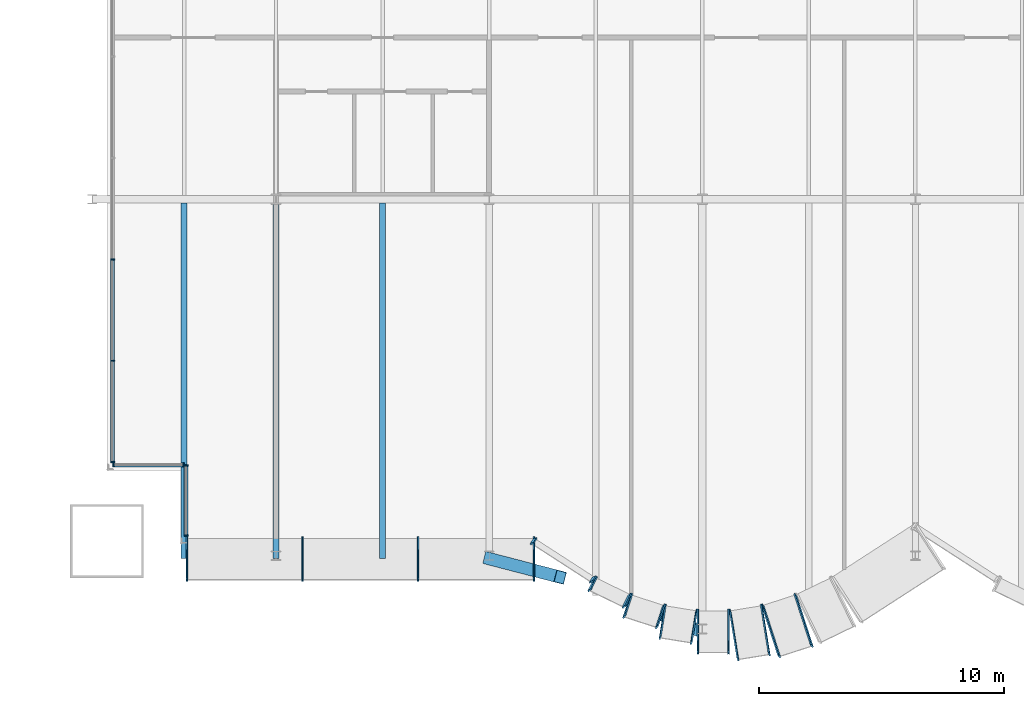
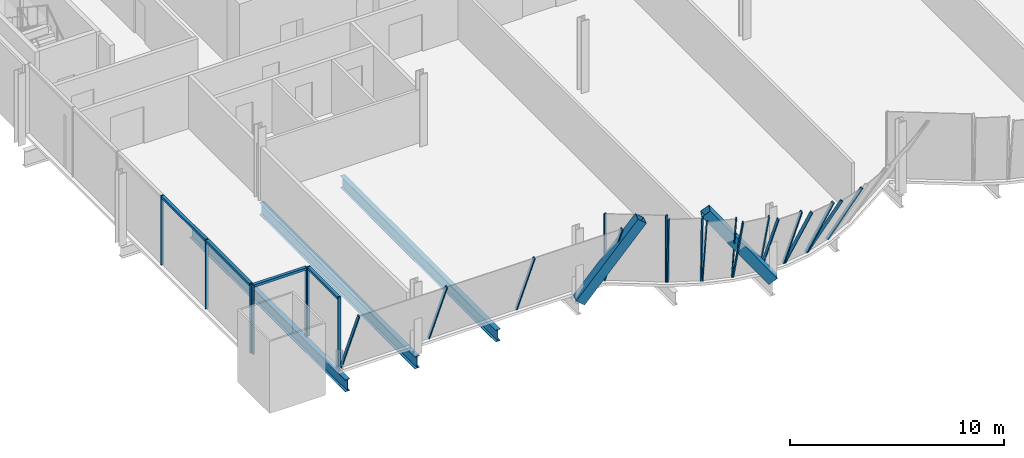
# One storey, part 4 of 22: 31 members, 3 beams, 11 elements without a shape of their own.
"""IFC4 building model written with IfcOpenShell, lengths in metres."""

from ifc_helpers import new_model, si_unit, direction, frame, origin, origin_2d, place, context, subcontext, project, spatial, rectangle, hollow_rectangle, i_section, extrude, material, material_profile, profile_set, type_object, element, aggregate, save


model = new_model("IFC4")

# Units and contexts
model_context = context("Model", 3, precision=1e-05, world=origin(), true_north=direction((0.0, 1.0)))
body_context = subcontext(model_context, "Body", "Model", "MODEL_VIEW")
ifc_project = project(units=[si_unit("LENGTHUNIT", "METRE"), si_unit("AREAUNIT", "SQUARE_METRE"), si_unit("VOLUMEUNIT", "CUBIC_METRE"), si_unit("PLANEANGLEUNIT", "RADIAN"), si_unit("MASSUNIT", "GRAM", prefix="KILO")], contexts=[model_context])

# Site, building, storey
site_placement = place(None, origin())
site = spatial("IfcSite", under=ifc_project, at=site_placement, CompositionType="ELEMENT")
building_placement = place(site_placement, origin())
building = spatial("IfcBuilding", under=site, at=building_placement, Name="Bicima Exchange Tower", CompositionType="ELEMENT")
storey_placement = place(building_placement, frame((0.0, 0.0, 89.89990234375)))
storey = spatial("IfcBuildingStorey", under=building, at=storey_placement, Name="L18", CompositionType="ELEMENT", Elevation=89.89990234375)

# Curtain wall, members
ifc_material_1 = material(Name="Anodised bronze aluminium", Category="aluminium")
curtain_wall_type_1 = type_object("IfcCurtainWallType", Name="End face glass wall", PredefinedType="NOTDEFINED", material=ifc_material_1)
curtain_wall_1_placement = place(storey_placement, origin())
curtain_wall_1 = element("IfcCurtainWall", 1, at=curtain_wall_1_placement, inside=storey, type_object=curtain_wall_type_1, Name="End face glass wall L18 run 6", PredefinedType="NOTDEFINED")
ifc_material_profile_1 = material_profile(ifc_material_1, rectangle(XDim=0.159912109375, YDim=0.06005859375, at=origin_2d()))
ifc_profile_set_1 = profile_set([ifc_material_profile_1], Name="Anodised bronze aluminium")
member_type_1 = type_object("IfcMemberType", Name="End face glass wall mullion 60 x 160", PredefinedType="MULLION", material=ifc_profile_set_1)
member_1_placement = place(storey_placement, frame((-32.77001953125, -24.451171875, 0.0), z_axis=(0.0, 0.0, 1.0), x_axis=(1.0, 0.0, 0.0)))
member_1 = element("IfcMember", 2, at=member_1_placement, type_object=member_type_1, Name="End face glass wall mullion 4", PredefinedType="MULLION", context=body_context, shape_type="SweptSolid", body=[
    extrude(rectangle(XDim=0.159912109375, YDim=0.06005859375, at=origin_2d()), origin(), (0.0, 0.0, 1.0), 3.9501953125),
])
member_2_placement = place(storey_placement, frame((-32.77001953125, -28.591552734375, 0.0), z_axis=(0.0, 0.0, 1.0), x_axis=(1.0, 0.0, 0.0)))
member_2 = element("IfcMember", 3, at=member_2_placement, type_object=member_type_1, Name="End face glass wall mullion 5", PredefinedType="MULLION", context=body_context, shape_type="SweptSolid", body=[
    extrude(rectangle(XDim=0.159912109375, YDim=0.06005859375, at=origin_2d()), origin(), (0.0, 0.0, 1.0), 3.9501953125),
])
member_3_placement = place(storey_placement, frame((-32.77001953125, -32.73193359375, 0.0), z_axis=(0.0, 0.0, 1.0), x_axis=(1.0, 0.0, 0.0)))
member_3 = element("IfcMember", 4, at=member_3_placement, type_object=member_type_1, Name="End face glass wall mullion 6", PredefinedType="MULLION", context=body_context, shape_type="SweptSolid", body=[
    extrude(rectangle(XDim=0.159912109375, YDim=0.06005859375, at=origin_2d()), origin(), (0.0, 0.0, 1.0), 3.9501953125),
])
ifc_material_profile_2 = material_profile(ifc_material_1, rectangle(XDim=0.159912109375, YDim=0.139892578125, at=origin_2d()))
ifc_profile_set_2 = profile_set([ifc_material_profile_2], Name="Anodised bronze aluminium")
member_type_2 = type_object("IfcMemberType", Name="End face glass wall transom 140 x 160", PredefinedType="USERDEFINED", material=ifc_profile_set_2)
member_4_placement = place(storey_placement, frame((-32.77001953125, -24.481201171875, 3.880126953125), z_axis=(0.0, -1.0, 0.0), x_axis=(1.0, 0.0, 0.0)))
member_4 = element("IfcMember", 5, at=member_4_placement, type_object=member_type_2, Name="End face glass wall transom 4.1", ObjectType="TRANSOM", PredefinedType="USERDEFINED", context=body_context, shape_type="SweptSolid", body=[
    extrude(rectangle(XDim=0.159912109375, YDim=0.139892578125, at=origin_2d()), origin(), (0.0, 0.0, 1.0), 4.080322265625),
])
member_5_placement = place(storey_placement, frame((-32.77001953125, -28.62158203125, 3.880126953125), z_axis=(0.0, -1.0, 0.0), x_axis=(1.0, 0.0, 0.0)))
member_5 = element("IfcMember", 6, at=member_5_placement, type_object=member_type_2, Name="End face glass wall transom 5.1", ObjectType="TRANSOM", PredefinedType="USERDEFINED", context=body_context, shape_type="SweptSolid", body=[
    extrude(rectangle(XDim=0.159912109375, YDim=0.139892578125, at=origin_2d()), origin(), (0.0, 0.0, 1.0), 4.080322265625),
])
aggregate(curtain_wall_1, [member_1, member_2, member_3, member_4, member_5])

# Beams
ifc_material_2 = material(Name="Steel ASTM A992 Gr 50", Category="steel")
ifc_material_profile_3 = material_profile(ifc_material_2, i_section(OverallWidth=0.25390625, OverallDepth=0.67822265625, WebThickness=0.01171875, FlangeThickness=0.016357421875, at=origin_2d()))
ifc_profile_set_3 = profile_set([ifc_material_profile_3], Name="Steel ASTM A992 Gr 50")
beam_type = type_object("IfcBeamType", Name="Floor beam W27x84", PredefinedType="JOIST", material=ifc_profile_set_3)
for number, where, z_axis, x_axis, name in (
    (7, (-29.85009765625, -22.16259765625, -0.489013671875), (0.0, -1.0, 0.0), (1.0, 0.0, 0.0), "Floor beam"),
    (8, (-26.10009765625, -22.16259765625, -0.489013671875), (0.0, -1.0, 0.0), (1.0, 0.0, 0.0), "Floor beam"),
    (9, (-21.75, -22.16259765625, -0.489013671875), (0.0, -1.0, 0.0), (1.0, 0.0, 0.0), "Floor beam"),
):
    element("IfcBeam", number, at=place(storey_placement, frame(where, z_axis=z_axis, x_axis=x_axis)), inside=storey, type_object=beam_type, Name=name, PredefinedType="JOIST", context=body_context, shape_type="SweptSolid", body=[
        extrude(i_section(OverallWidth=0.25390625, OverallDepth=0.67822265625, WebThickness=0.01171875, FlangeThickness=0.016357421875, at=origin_2d()), origin(), (0.0, 0.0, 1.0), 14.509521484375),
    ])

# Curtain wall, members
curtain_wall_type_2 = type_object("IfcCurtainWallType", Name="Front glass wall", PredefinedType="NOTDEFINED", material=ifc_material_1)
curtain_wall_2_placement = place(storey_placement, origin())
curtain_wall_2 = element("IfcCurtainWall", 10, at=curtain_wall_2_placement, inside=storey, type_object=curtain_wall_type_2, Name="Front glass wall L18 run 7", PredefinedType="NOTDEFINED")
member_type_3 = type_object("IfcMemberType", Name="Front glass wall mullion 60 x 160", PredefinedType="MULLION", material=ifc_profile_set_1)
member_6_placement = place(storey_placement, frame((-32.739990234375, -32.842041015625, 0.0), z_axis=(0.0, 0.0, 1.0), x_axis=(0.0, 1.0, 0.0)))
member_6 = element("IfcMember", 11, at=member_6_placement, type_object=member_type_3, Name="Front glass wall mullion 1", PredefinedType="MULLION", context=body_context, shape_type="SweptSolid", body=[
    extrude(rectangle(XDim=0.159912109375, YDim=0.06005859375, at=origin_2d()), origin(), (0.0, 0.0, 1.0), 3.9501953125),
])
member_7_placement = place(storey_placement, frame((-29.8798828125, -32.842041015625, 0.0), z_axis=(0.0, 0.0, 1.0), x_axis=(0.0, 1.0, 0.0)))
member_7 = element("IfcMember", 12, at=member_7_placement, type_object=member_type_3, Name="Front glass wall mullion 2", PredefinedType="MULLION", context=body_context, shape_type="SweptSolid", body=[
    extrude(rectangle(XDim=0.159912109375, YDim=0.06005859375, at=origin_2d()), origin(), (0.0, 0.0, 1.0), 3.9501953125),
])

curtain_wall_3_placement = place(storey_placement, origin())
curtain_wall_3 = element("IfcCurtainWall", 13, at=curtain_wall_3_placement, inside=storey, type_object=curtain_wall_type_2, Name="Front glass wall L18 run 8", PredefinedType="NOTDEFINED")
member_8_placement = place(storey_placement, frame((-29.77001953125, -32.8720703125, 0.0), z_axis=(0.0, 0.0, 1.0), x_axis=(1.0, 0.0, 0.0)))
member_8 = element("IfcMember", 14, at=member_8_placement, type_object=member_type_3, Name="Front glass wall mullion 1", PredefinedType="MULLION", context=body_context, shape_type="SweptSolid", body=[
    extrude(rectangle(XDim=0.159912109375, YDim=0.06005859375, at=origin_2d()), origin(), (0.0, 0.0, 1.0), 3.9501953125),
])
member_9_placement = place(storey_placement, frame((-29.77001953125, -35.73193359375, 0.0), z_axis=(0.0, 0.0, 1.0), x_axis=(1.0, 0.0, 0.0)))
member_9 = element("IfcMember", 15, at=member_9_placement, type_object=member_type_3, Name="Front glass wall mullion 2", PredefinedType="MULLION", context=body_context, shape_type="SweptSolid", body=[
    extrude(rectangle(XDim=0.159912109375, YDim=0.06005859375, at=origin_2d()), origin(), (0.0, 0.0, 1.0), 3.9501953125),
])

curtain_wall_4_placement = place(storey_placement, origin())
curtain_wall_4 = element("IfcCurtainWall", 16, at=curtain_wall_4_placement, inside=storey, type_object=curtain_wall_type_2, Name="Canted glass wall L18 35.1", PredefinedType="NOTDEFINED")
member_10_placement = place(storey_placement, frame((-29.739990234375, -35.842041015625, 0.0), z_axis=(0.0, -0.392560507207, 0.91972618109), x_axis=(0.0, 0.91972618109, 0.392560507207)))
member_10 = element("IfcMember", 17, at=member_10_placement, type_object=member_type_3, Name="Canted glass mullion 1", PredefinedType="MULLION", context=body_context, shape_type="SweptSolid", body=[
    extrude(rectangle(XDim=0.159912109375, YDim=0.06005859375, at=origin_2d()), origin(), (0.0, 0.0, 1.0), 4.294921875),
])
member_11_placement = place(storey_placement, frame((-25.01904296875, -35.842041015625, 0.0), z_axis=(0.0, -0.392560507207, 0.91972618109), x_axis=(0.0, 0.91972618109, 0.392560507207)))
member_11 = element("IfcMember", 18, at=member_11_placement, type_object=member_type_3, Name="Canted glass mullion 2", PredefinedType="MULLION", context=body_context, shape_type="SweptSolid", body=[
    extrude(rectangle(XDim=0.159912109375, YDim=0.06005859375, at=origin_2d()), origin(), (0.0, 0.0, 1.0), 4.294921875),
])
member_12_placement = place(storey_placement, frame((-20.2978515625, -35.842041015625, 0.0), z_axis=(0.0, -0.392560507207, 0.91972618109), x_axis=(0.0, 0.91972618109, 0.392560507207)))
member_12 = element("IfcMember", 19, at=member_12_placement, type_object=member_type_3, Name="Canted glass mullion 3", PredefinedType="MULLION", context=body_context, shape_type="SweptSolid", body=[
    extrude(rectangle(XDim=0.159912109375, YDim=0.06005859375, at=origin_2d()), origin(), (0.0, 0.0, 1.0), 4.294921875),
])
member_13_placement = place(storey_placement, frame((-15.576904296875, -35.842041015625, 0.0), z_axis=(0.0, -0.392560507207, 0.91972618109), x_axis=(0.0, 0.91972618109, 0.392560507207)))
member_13 = element("IfcMember", 20, at=member_13_placement, type_object=member_type_3, Name="Canted glass mullion 4", PredefinedType="MULLION", context=body_context, shape_type="SweptSolid", body=[
    extrude(rectangle(XDim=0.159912109375, YDim=0.06005859375, at=origin_2d()), origin(), (0.0, 0.0, 1.0), 4.294921875),
])
aggregate(curtain_wall_4, [member_10, member_11, member_12, member_13])

curtain_wall_5_placement = place(storey_placement, origin())
curtain_wall_5 = element("IfcCurtainWall", 21, at=curtain_wall_5_placement, inside=storey, type_object=curtain_wall_type_2, Name="Canted glass wall L18 36.1", PredefinedType="NOTDEFINED")
member_14_placement = place(storey_placement, frame((-15.521728515625, -35.8583984375, 0.0), z_axis=(-0.032820058759, -0.050710692293, 0.998173967518), x_axis=(0.911231260738, 0.40875944388, 0.050727768454)))
member_14 = element("IfcMember", 22, at=member_14_placement, type_object=member_type_3, Name="Canted glass mullion 1", PredefinedType="MULLION", context=body_context, shape_type="SweptSolid", body=[
    extrude(rectangle(XDim=0.159912109375, YDim=0.06005859375, at=origin_2d()), origin(), (0.0, 0.0, 1.0), 3.95751953125),
])
member_15_placement = place(storey_placement, frame((-13.1044921875, -37.4208984375, 0.0), z_axis=(-0.032820058759, -0.050710692293, 0.998173967518), x_axis=(0.911231260738, 0.40875944388, 0.050727768454)))
member_15 = element("IfcMember", 23, at=member_15_placement, type_object=member_type_3, Name="Canted glass mullion 2", PredefinedType="MULLION", context=body_context, shape_type="SweptSolid", body=[
    extrude(rectangle(XDim=0.159912109375, YDim=0.06005859375, at=origin_2d()), origin(), (0.0, 0.0, 1.0), 3.95751953125),
])
aggregate(curtain_wall_5, [member_14, member_15])

curtain_wall_6_placement = place(storey_placement, origin())
curtain_wall_6 = element("IfcCurtainWall", 24, at=curtain_wall_6_placement, inside=storey, type_object=curtain_wall_type_2, Name="Canted glass wall L18 37.1", PredefinedType="NOTDEFINED")
member_16_placement = place(storey_placement, frame((-13.052490234375, -37.4501953125, 0.0), z_axis=(-0.062452607082, -0.128819971122, 0.989699493235), x_axis=(0.781051508244, 0.611035322991, 0.128819158228)))
member_16 = element("IfcMember", 25, at=member_16_placement, type_object=member_type_3, Name="Canted glass mullion 1", PredefinedType="MULLION", context=body_context, shape_type="SweptSolid", body=[
    extrude(rectangle(XDim=0.159912109375, YDim=0.06005859375, at=origin_2d()), origin(), (0.0, 0.0, 1.0), 3.9912109375),
])
member_17_placement = place(storey_placement, frame((-11.6533203125, -38.128662109375, 0.0), z_axis=(-0.062452607082, -0.128819971122, 0.989699493235), x_axis=(0.781051508244, 0.611035322991, 0.128819158228)))
member_17 = element("IfcMember", 26, at=member_17_placement, type_object=member_type_3, Name="Canted glass mullion 2", PredefinedType="MULLION", context=body_context, shape_type="SweptSolid", body=[
    extrude(rectangle(XDim=0.159912109375, YDim=0.06005859375, at=origin_2d()), origin(), (0.0, 0.0, 1.0), 3.9912109375),
])
aggregate(curtain_wall_6, [member_16, member_17])

curtain_wall_7_placement = place(storey_placement, origin())
curtain_wall_7 = element("IfcCurtainWall", 27, at=curtain_wall_7_placement, inside=storey, type_object=curtain_wall_type_2, Name="Canted glass wall L18 38.1", PredefinedType="NOTDEFINED")
member_18_placement = place(storey_placement, frame((-11.59765625, -38.15087890625, 0.0), z_axis=(-0.071018549868, -0.219730551413, 0.972972173472), x_axis=(0.577402534066, 0.786337207926, 0.219727351699)))
member_18 = element("IfcMember", 28, at=member_18_placement, type_object=member_type_3, Name="Canted glass mullion 1", PredefinedType="MULLION", context=body_context, shape_type="SweptSolid", body=[
    extrude(rectangle(XDim=0.159912109375, YDim=0.06005859375, at=origin_2d()), origin(), (0.0, 0.0, 1.0), 4.059814453125),
])
member_19_placement = place(storey_placement, frame((-10.269775390625, -38.580078125, 0.0), z_axis=(-0.071018549868, -0.219730551413, 0.972972173472), x_axis=(0.577402534066, 0.786337207926, 0.219727351699)))
member_19 = element("IfcMember", 29, at=member_19_placement, type_object=member_type_3, Name="Canted glass mullion 2", PredefinedType="MULLION", context=body_context, shape_type="SweptSolid", body=[
    extrude(rectangle(XDim=0.159912109375, YDim=0.06005859375, at=origin_2d()), origin(), (0.0, 0.0, 1.0), 4.059814453125),
])
aggregate(curtain_wall_7, [member_18, member_19])

curtain_wall_8_placement = place(storey_placement, origin())
curtain_wall_8 = element("IfcCurtainWall", 30, at=curtain_wall_8_placement, inside=storey, type_object=curtain_wall_type_2, Name="Canted glass wall L18 39.1", PredefinedType="NOTDEFINED")
member_20_placement = place(storey_placement, frame((-10.211669921875, -38.59423828125, 0.0), z_axis=(-0.050535241989, -0.312532917682, 0.948561734777), x_axis=(0.306995075409, 0.89893019655, 0.312535638616)))
member_20 = element("IfcMember", 31, at=member_20_placement, type_object=member_type_3, Name="Canted glass mullion 1", PredefinedType="MULLION", context=body_context, shape_type="SweptSolid", body=[
    extrude(rectangle(XDim=0.159912109375, YDim=0.06005859375, at=origin_2d()), origin(), (0.0, 0.0, 1.0), 4.164306640625),
])
member_21_placement = place(storey_placement, frame((-8.93701171875, -38.80029296875, 0.0), z_axis=(-0.050535241989, -0.312532917682, 0.948561734777), x_axis=(0.306995075409, 0.89893019655, 0.312535638616)))
member_21 = element("IfcMember", 32, at=member_21_placement, type_object=member_type_3, Name="Canted glass mullion 2", PredefinedType="MULLION", context=body_context, shape_type="SweptSolid", body=[
    extrude(rectangle(XDim=0.159912109375, YDim=0.06005859375, at=origin_2d()), origin(), (0.0, 0.0, 1.0), 4.164306640625),
])
aggregate(curtain_wall_8, [member_20, member_21])

curtain_wall_9_placement = place(storey_placement, origin())
curtain_wall_9 = element("IfcCurtainWall", 33, at=curtain_wall_9_placement, inside=storey, type_object=curtain_wall_type_2, Name="Canted glass wall L18 40.1", PredefinedType="NOTDEFINED")
member_22_placement = place(storey_placement, frame((-8.87744140625, -38.804931640625, 0.0), z_axis=(0.0, -0.392560507207, 0.91972618109), x_axis=(0.0, 0.91972618109, 0.392560507207)))
member_22 = element("IfcMember", 34, at=member_22_placement, type_object=member_type_3, Name="Canted glass mullion 1", PredefinedType="MULLION", context=body_context, shape_type="SweptSolid", body=[
    extrude(rectangle(XDim=0.159912109375, YDim=0.06005859375, at=origin_2d()), origin(), (0.0, 0.0, 1.0), 4.294921875),
])
member_23_placement = place(storey_placement, frame((-7.62255859375, -38.804931640625, 0.0), z_axis=(0.0, -0.392560507207, 0.91972618109), x_axis=(0.0, 0.91972618109, 0.392560507207)))
member_23 = element("IfcMember", 35, at=member_23_placement, type_object=member_type_3, Name="Canted glass mullion 2", PredefinedType="MULLION", context=body_context, shape_type="SweptSolid", body=[
    extrude(rectangle(XDim=0.159912109375, YDim=0.06005859375, at=origin_2d()), origin(), (0.0, 0.0, 1.0), 4.294921875),
])
aggregate(curtain_wall_9, [member_22, member_23])

curtain_wall_10_placement = place(storey_placement, origin())
curtain_wall_10 = element("IfcCurtainWall", 36, at=curtain_wall_10_placement, inside=storey, type_object=curtain_wall_type_2, Name="Canted glass wall L18 41.1", PredefinedType="NOTDEFINED")
member_24_placement = place(storey_placement, frame((-7.56298828125, -38.80029296875, 0.0), z_axis=(0.072379022508, -0.447714379714, 0.891242453712), x_axis=(-0.297936279173, 0.843080281656, 0.447715995064)))
member_24 = element("IfcMember", 37, at=member_24_placement, type_object=member_type_3, Name="Canted glass mullion 1", PredefinedType="MULLION", context=body_context, shape_type="SweptSolid", body=[
    extrude(rectangle(XDim=0.159912109375, YDim=0.06005859375, at=origin_2d()), origin(), (0.0, 0.0, 1.0), 4.43212890625),
])
member_25_placement = place(storey_placement, frame((-6.288330078125, -38.59423828125, 0.0), z_axis=(0.072379022508, -0.447714379714, 0.891242453712), x_axis=(-0.297936279173, 0.843080281656, 0.447715995064)))
member_25 = element("IfcMember", 38, at=member_25_placement, type_object=member_type_3, Name="Canted glass mullion 2", PredefinedType="MULLION", context=body_context, shape_type="SweptSolid", body=[
    extrude(rectangle(XDim=0.159912109375, YDim=0.06005859375, at=origin_2d()), origin(), (0.0, 0.0, 1.0), 4.43212890625),
])
aggregate(curtain_wall_10, [member_24, member_25])

curtain_wall_11_placement = place(storey_placement, origin())
curtain_wall_11 = element("IfcCurtainWall", 39, at=curtain_wall_11_placement, inside=storey, type_object=curtain_wall_type_2, Name="Canted glass wall L18 42.1", PredefinedType="NOTDEFINED")
member_26_placement = place(storey_placement, frame((-6.230224609375, -38.580078125, 0.0), z_axis=(0.149085846677, -0.461312043344, 0.874622552297), x_axis=(-0.548603486377, 0.697305738941, 0.461301334459)))
member_26 = element("IfcMember", 40, at=member_26_placement, type_object=member_type_3, Name="Canted glass mullion 1", PredefinedType="MULLION", context=body_context, shape_type="SweptSolid", body=[
    extrude(rectangle(XDim=0.159912109375, YDim=0.06005859375, at=origin_2d()), origin(), (0.0, 0.0, 1.0), 4.516357421875),
])
member_27_placement = place(storey_placement, frame((-4.90234375, -38.15087890625, 0.0), z_axis=(0.149085846677, -0.461312043344, 0.874622552297), x_axis=(-0.548603486377, 0.697305738941, 0.461301334459)))
member_27 = element("IfcMember", 41, at=member_27_placement, type_object=member_type_3, Name="Canted glass mullion 2", PredefinedType="MULLION", context=body_context, shape_type="SweptSolid", body=[
    extrude(rectangle(XDim=0.159912109375, YDim=0.06005859375, at=origin_2d()), origin(), (0.0, 0.0, 1.0), 4.516357421875),
])
aggregate(curtain_wall_11, [member_26, member_27])

# Member
member_type_4 = type_object("IfcMemberType", Name="Front glass wall transom 140 x 160", PredefinedType="USERDEFINED", material=ifc_profile_set_2)
member_28_placement = place(storey_placement, frame((-32.7099609375, -32.842041015625, 3.880126953125), z_axis=(1.0, 0.0, 0.0), x_axis=(0.0, 1.0, 0.0)))
member_28 = element("IfcMember", 42, at=member_28_placement, type_object=member_type_4, Name="Front glass wall transom 1.1", ObjectType="TRANSOM", PredefinedType="USERDEFINED", context=body_context, shape_type="SweptSolid", body=[
    extrude(rectangle(XDim=0.159912109375, YDim=0.139892578125, at=origin_2d()), origin(), (0.0, 0.0, 1.0), 2.800048828125),
])

aggregate(curtain_wall_2, [member_6, member_7, member_28])

member_29_placement = place(storey_placement, frame((-29.77001953125, -32.902099609375, 3.880126953125), z_axis=(0.0, -1.0, 0.0), x_axis=(1.0, 0.0, 0.0)))
member_29 = element("IfcMember", 43, at=member_29_placement, type_object=member_type_4, Name="Front glass wall transom 1.1", ObjectType="TRANSOM", PredefinedType="USERDEFINED", context=body_context, shape_type="SweptSolid", body=[
    extrude(rectangle(XDim=0.159912109375, YDim=0.139892578125, at=origin_2d()), origin(), (0.0, 0.0, 1.0), 2.7998046875),
])

aggregate(curtain_wall_3, [member_8, member_9, member_29])

# Members
ifc_material_3 = material(Name="Steel ASTM A572 Gr 50", Category="steel")
ifc_material_profile_4 = material_profile(ifc_material_3, hollow_rectangle(XDim=0.508056640625, YDim=0.508056640625, WallThickness=0.0146484375, at=origin_2d()))
ifc_profile_set_4 = profile_set([ifc_material_profile_4], Name="Steel ASTM A572 Gr 50")
member_type_5 = type_object("IfcMemberType", Name="Mega brace HSS20x20x5/8", PredefinedType="BRACE", material=ifc_profile_set_4)
member_30_placement = place(storey_placement, frame((-17.39990234375, -36.672119140625, 0.0), z_axis=(0.571060084049, -0.14826985176, 0.807407227776), x_axis=(0.251307155067, 0.967907389068, 0.0)))
element("IfcMember", 44, at=member_30_placement, inside=storey, type_object=member_type_5, Name="Mega brace front", PredefinedType="BRACE", context=body_context, shape_type="SweptSolid", body=[
    extrude(hollow_rectangle(XDim=0.508056640625, YDim=0.508056640625, WallThickness=0.0146484375, at=origin_2d()), origin(), (0.0, 0.0, 1.0), 5.078125),
])
member_31_placement = place(storey_placement, frame((-8.699951171875, -39.6630859375, 0.0), z_axis=(-0.560613432134, 0.239885350243, 0.792570248275), x_axis=(-0.393396154839, -0.919369058299, 0.0)))
element("IfcMember", 45, at=member_31_placement, inside=storey, type_object=member_type_5, Name="Mega brace front", PredefinedType="BRACE", context=body_context, shape_type="SweptSolid", body=[
    extrude(hollow_rectangle(XDim=0.508056640625, YDim=0.508056640625, WallThickness=0.0146484375, at=origin_2d()), origin(), (0.0, 0.0, 1.0), 5.173095703125),
])

save(model, "model.ifc")
